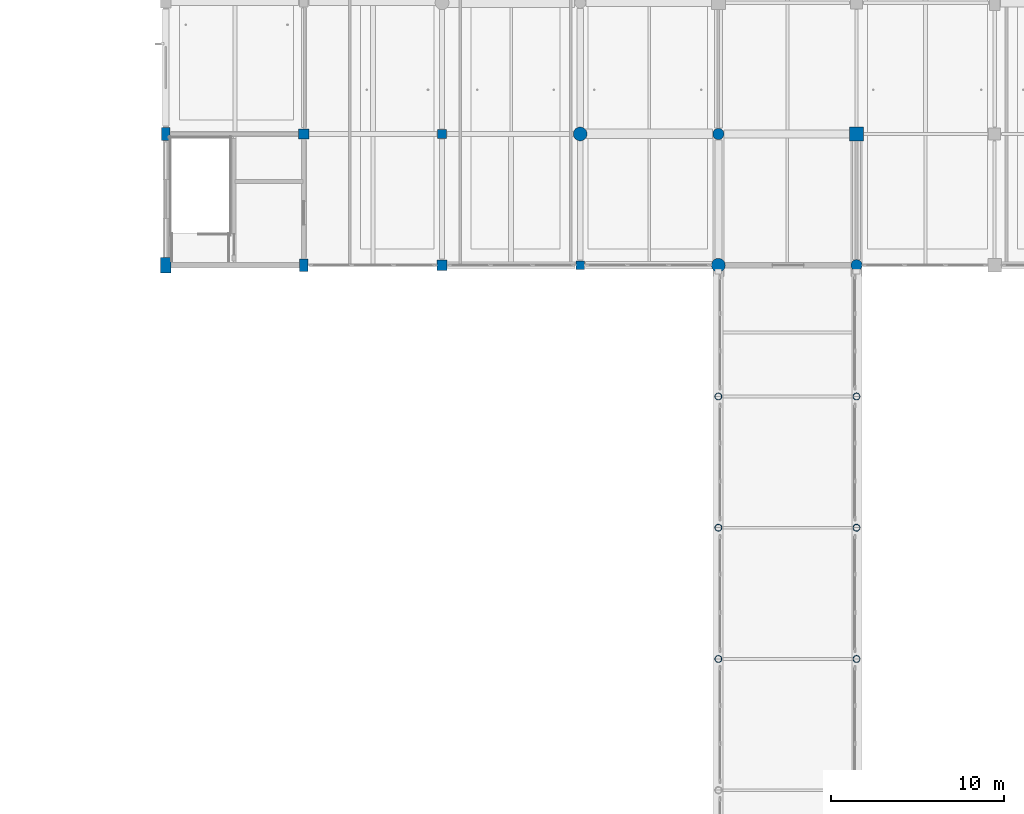
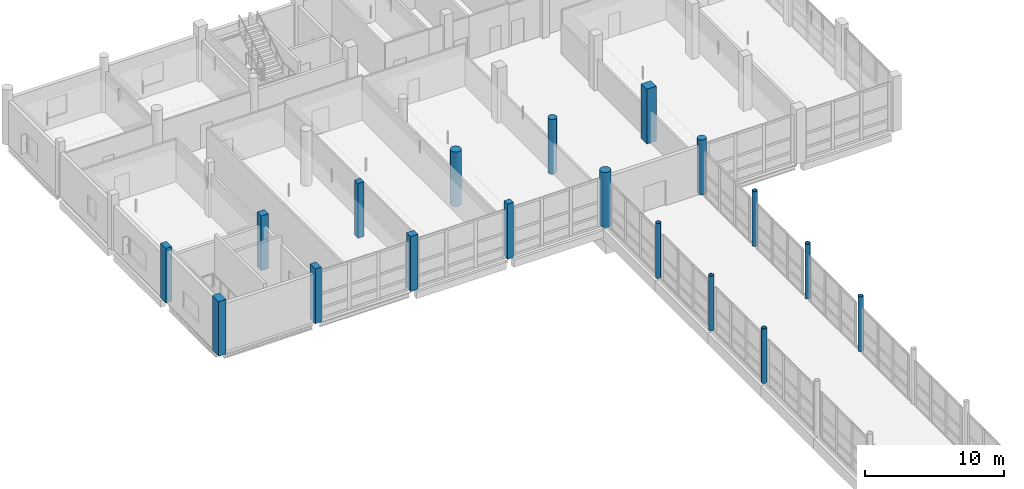
# One storey, part 9 of 147: 18 columns.
"""IFC4 building model written with IfcOpenShell, lengths in metres."""

from ifc_helpers import new_model, si_unit, direction, frame, origin, origin_2d, place, context, subcontext, project, spatial, rectangle, circle, hollow_circle, extrude, material, material_profile, profile_set, type_object, element, save


model = new_model("IFC4")

# Units and contexts
model_context = context("Model", 3, precision=1e-05, world=origin(), true_north=direction((0.0, 1.0)))
body_context = subcontext(model_context, "Body", "Model", "MODEL_VIEW")
ifc_project = project(units=[si_unit("LENGTHUNIT", "METRE"), si_unit("AREAUNIT", "SQUARE_METRE"), si_unit("VOLUMEUNIT", "CUBIC_METRE"), si_unit("PLANEANGLEUNIT", "RADIAN"), si_unit("MASSUNIT", "GRAM", prefix="KILO")], contexts=[model_context])

# Site, building, storey
site_placement = place(None, origin())
site = spatial("IfcSite", under=ifc_project, at=site_placement, CompositionType="ELEMENT")
building_placement = place(site_placement, origin())
building = spatial("IfcBuilding", under=site, at=building_placement, Name="Khelvaren Railside Concert Hall", CompositionType="ELEMENT")
storey_placement = place(building_placement, frame((0.0, 0.0, 5.39990234375)))
storey = spatial("IfcBuildingStorey", under=building, at=storey_placement, Name="L01", CompositionType="ELEMENT", Elevation=5.39990234375)

# Columns
ifc_material_1 = material(Name="Concrete C45/55", Category="concrete")
ifc_material_profile_1 = material_profile(ifc_material_1, rectangle(XDim=0.60009765625, YDim=0.60009765625, at=origin_2d()), Name="RC 600x600")
ifc_profile_set_1 = profile_set([ifc_material_profile_1], Name="Concrete C45/55")
column_type_1 = type_object("IfcColumnType", Name="COL11", PredefinedType="COLUMN", material=ifc_profile_set_1)
column_1_placement = place(storey_placement, frame((144.0, 83.60009765625, 0.0), z_axis=(0.0, 0.0, 1.0), x_axis=(1.0, 0.0, 0.0)))
element("IfcColumn", 1, at=column_1_placement, inside=storey, type_object=column_type_1, Name="V5 L01 Column (144.0,83.6)", PredefinedType="COLUMN", context=body_context, shape_type="SweptSolid", body=[
    extrude(rectangle(XDim=0.60009765625, YDim=0.60009765625, at=origin_2d()), origin(), (0.0, 0.0, 1.0), 4.800048828125),
])
ifc_material_profile_2 = material_profile(ifc_material_1, circle(Radius=0.39990234375, at=origin_2d()), Name="RC D800")
ifc_profile_set_2 = profile_set([ifc_material_profile_2], Name="Concrete C45/55")
column_type_2 = type_object("IfcColumnType", Name="COL14", PredefinedType="COLUMN", material=ifc_profile_set_2)
column_2_placement = place(storey_placement, frame((152.0, 91.199951171875, 0.0), z_axis=(0.0, 0.0, 1.0), x_axis=(1.0, 0.0, 0.0)))
element("IfcColumn", 2, at=column_2_placement, inside=storey, type_object=column_type_2, Name="V5 L01 Column (152.0,91.2)", PredefinedType="COLUMN", context=body_context, shape_type="SweptSolid", body=[
    extrude(circle(Radius=0.39990234375, at=origin_2d()), origin(), (0.0, 0.0, 1.0), 4.800048828125),
])
ifc_material_profile_3 = material_profile(ifc_material_1, rectangle(XDim=0.800048828125, YDim=0.800048828125, at=origin_2d()), Name="RC 800x800")
ifc_profile_set_3 = profile_set([ifc_material_profile_3], Name="Concrete C45/55")
column_type_3 = type_object("IfcColumnType", Name="COL20", PredefinedType="COLUMN", material=ifc_profile_set_3)
column_3_placement = place(storey_placement, frame((168.0, 91.199951171875, 0.0), z_axis=(0.0, 0.0, 1.0), x_axis=(1.0, 0.0, 0.0)))
element("IfcColumn", 3, at=column_3_placement, inside=storey, type_object=column_type_3, Name="V5 L01 Column (168.0,91.2)", PredefinedType="COLUMN", context=body_context, shape_type="SweptSolid", body=[
    extrude(rectangle(XDim=0.800048828125, YDim=0.800048828125, at=origin_2d()), origin(), (0.0, 0.0, 1.0), 4.800048828125),
])
ifc_material_profile_4 = material_profile(ifc_material_1, circle(Radius=0.39990234375, at=origin_2d()), Name="RC D800")
ifc_profile_set_4 = profile_set([ifc_material_profile_4], Name="Concrete C45/55")
column_type_4 = type_object("IfcColumnType", Name="COL22", PredefinedType="COLUMN", material=ifc_profile_set_4)
column_4_placement = place(storey_placement, frame((160.0, 83.60009765625, 0.0), z_axis=(0.0, 0.0, 1.0), x_axis=(1.0, 0.0, 0.0)))
element("IfcColumn", 4, at=column_4_placement, inside=storey, type_object=column_type_4, Name="V5 L01 Column (160.0,83.6)", PredefinedType="COLUMN", context=body_context, shape_type="SweptSolid", body=[
    extrude(circle(Radius=0.39990234375, at=origin_2d()), origin(), (0.0, 0.0, 1.0), 4.800048828125),
])
ifc_material_2 = material(Name="Steel S355", Category="steel")
ifc_material_profile_5 = material_profile(ifc_material_2, hollow_circle(Radius=0.203125, WallThickness=0.02001953125, at=origin_2d()), Name="CHS 406.4x20")
ifc_profile_set_5 = profile_set([ifc_material_profile_5], Name="Steel S355")
column_type_5 = type_object("IfcColumnType", Name="COL27", PredefinedType="COLUMN", material=ifc_profile_set_5)
for number, where, z_axis, x_axis, name in (
    (5, (160.0, 60.800048828125, 0.0), (0.0, 0.0, 1.0), (1.0, 0.0, 0.0), "LB4 L01 Bridge Pier (160,60.8)"),
    (6, (160.0, 68.39990234375, 0.0), (0.0, 0.0, 1.0), (1.0, 0.0, 0.0), "LB4 L01 Bridge Pier (160,68.4)"),
    (7, (160.0, 76.0, 0.0), (0.0, 0.0, 1.0), (1.0, 0.0, 0.0), "LB4 L01 Bridge Pier (160,76.0)"),
    (8, (168.0, 60.800048828125, 0.0), (0.0, 0.0, 1.0), (1.0, 0.0, 0.0), "LB4 L01 Bridge Pier (168,60.8)"),
    (9, (168.0, 68.39990234375, 0.0), (0.0, 0.0, 1.0), (1.0, 0.0, 0.0), "LB4 L01 Bridge Pier (168,68.4)"),
    (10, (168.0, 76.0, 0.0), (0.0, 0.0, 1.0), (1.0, 0.0, 0.0), "LB4 L01 Bridge Pier (168,76.0)"),
):
    element("IfcColumn", number, at=place(storey_placement, frame(where, z_axis=z_axis, x_axis=x_axis)), inside=storey, type_object=column_type_5, Name=name, PredefinedType="COLUMN", context=body_context, shape_type="SweptSolid", body=[
        extrude(hollow_circle(Radius=0.203125, WallThickness=0.02001953125, at=origin_2d()), origin(), (0.0, 0.0, 1.0), 4.800048828125),
    ])
ifc_material_profile_6 = material_profile(ifc_material_1, rectangle(XDim=0.60009765625, YDim=0.60009765625, at=origin_2d()), Name="RC 600x600")
ifc_profile_set_6 = profile_set([ifc_material_profile_6], Name="Concrete C45/55")
column_type_6 = type_object("IfcColumnType", Name="COL29", PredefinedType="COLUMN", material=ifc_profile_set_6)
column_5_placement = place(storey_placement, frame((136.0, 91.199951171875, 0.0), z_axis=(0.0, 0.0, 1.0), x_axis=(1.0, 0.0, 0.0)))
element("IfcColumn", 11, at=column_5_placement, inside=storey, type_object=column_type_6, Name="V5 L01 Column (136.0,91.2)", PredefinedType="COLUMN", context=body_context, shape_type="SweptSolid", body=[
    extrude(rectangle(XDim=0.60009765625, YDim=0.60009765625, at=origin_2d()), origin(), (0.0, 0.0, 1.0), 4.800048828125),
])
ifc_material_profile_7 = material_profile(ifc_material_1, rectangle(XDim=0.5, YDim=0.5, at=origin_2d()), Name="RC 500x500")
ifc_profile_set_7 = profile_set([ifc_material_profile_7], Name="Concrete C45/55")
column_type_7 = type_object("IfcColumnType", Name="COL35", PredefinedType="COLUMN", material=ifc_profile_set_7)
column_6_placement = place(storey_placement, frame((152.0, 83.60009765625, 0.0), z_axis=(0.0, 0.0, 1.0), x_axis=(1.0, 0.0, 0.0)))
element("IfcColumn", 12, at=column_6_placement, inside=storey, type_object=column_type_7, Name="V5 L01 Column (152.0,83.6)", PredefinedType="COLUMN", context=body_context, shape_type="SweptSolid", body=[
    extrude(rectangle(XDim=0.5, YDim=0.5, at=origin_2d()), origin(), (0.0, 0.0, 1.0), 4.800048828125),
])
ifc_material_profile_8 = material_profile(ifc_material_1, circle(Radius=0.324951171875, at=origin_2d()), Name="RC D650")
ifc_profile_set_8 = profile_set([ifc_material_profile_8], Name="Concrete C45/55")
column_type_8 = type_object("IfcColumnType", Name="COL53", PredefinedType="COLUMN", material=ifc_profile_set_8)
column_7_placement = place(storey_placement, frame((168.0, 83.60009765625, 0.0), z_axis=(0.0, 0.0, 1.0), x_axis=(1.0, 0.0, 0.0)))
element("IfcColumn", 13, at=column_7_placement, inside=storey, type_object=column_type_8, Name="V5 L01 Column (168.0,83.6)", PredefinedType="COLUMN", context=body_context, shape_type="SweptSolid", body=[
    extrude(circle(Radius=0.324951171875, at=origin_2d()), origin(), (0.0, 0.0, 1.0), 4.800048828125),
])
ifc_material_profile_9 = material_profile(ifc_material_1, rectangle(XDim=0.5, YDim=0.5, at=origin_2d()), Name="RC 500x500")
ifc_profile_set_9 = profile_set([ifc_material_profile_9], Name="Concrete C45/55")
column_type_9 = type_object("IfcColumnType", Name="COL84", PredefinedType="COLUMN", material=ifc_profile_set_9)
column_8_placement = place(storey_placement, frame((144.0, 91.199951171875, 0.0), z_axis=(0.0, 0.0, 1.0), x_axis=(1.0, 0.0, 0.0)))
element("IfcColumn", 14, at=column_8_placement, inside=storey, type_object=column_type_9, Name="V5 L01 Column (144.0,91.2)", PredefinedType="COLUMN", context=body_context, shape_type="SweptSolid", body=[
    extrude(rectangle(XDim=0.5, YDim=0.5, at=origin_2d()), origin(), (0.0, 0.0, 1.0), 4.800048828125),
])
ifc_material_profile_10 = material_profile(ifc_material_1, circle(Radius=0.324951171875, at=origin_2d()), Name="RC D650")
ifc_profile_set_10 = profile_set([ifc_material_profile_10], Name="Concrete C45/55")
column_type_10 = type_object("IfcColumnType", Name="COL94", PredefinedType="COLUMN", material=ifc_profile_set_10)
column_9_placement = place(storey_placement, frame((160.0, 91.199951171875, 0.0), z_axis=(0.0, 0.0, 1.0), x_axis=(1.0, 0.0, 0.0)))
element("IfcColumn", 15, at=column_9_placement, inside=storey, type_object=column_type_10, Name="V5 L01 Column (160.0,91.2)", PredefinedType="COLUMN", context=body_context, shape_type="SweptSolid", body=[
    extrude(circle(Radius=0.324951171875, at=origin_2d()), origin(), (0.0, 0.0, 1.0), 4.800048828125),
])
ifc_material_profile_11 = material_profile(ifc_material_1, rectangle(XDim=0.60009765625, YDim=0.89990234375, at=origin_2d()), Name="RC 600x900")
ifc_profile_set_11 = profile_set([ifc_material_profile_11], Name="Concrete C45/55")
column_type_11 = type_object("IfcColumnType", Name="COL95", PredefinedType="COLUMN", material=ifc_profile_set_11)
column_10_placement = place(storey_placement, frame((128.0, 83.60009765625, 0.0), z_axis=(0.0, 0.0, 1.0), x_axis=(1.0, 0.0, 0.0)))
element("IfcColumn", 16, at=column_10_placement, inside=storey, type_object=column_type_11, Name="V5 L01 Column (128.0,83.6)", PredefinedType="COLUMN", context=body_context, shape_type="SweptSolid", body=[
    extrude(rectangle(XDim=0.60009765625, YDim=0.89990234375, at=origin_2d()), origin(), (0.0, 0.0, 1.0), 4.800048828125),
])
ifc_material_profile_12 = material_profile(ifc_material_1, rectangle(XDim=0.5, YDim=0.75, at=origin_2d()), Name="RC 500x750")
ifc_profile_set_12 = profile_set([ifc_material_profile_12], Name="Concrete C45/55")
column_type_12 = type_object("IfcColumnType", Name="COL97", PredefinedType="COLUMN", material=ifc_profile_set_12)
for number, where, z_axis, x_axis, name in (
    (17, (128.0, 91.199951171875, 0.0), (0.0, 0.0, 1.0), (1.0, 0.0, 0.0), "V5 L01 Column (128.0,91.2)"),
    (18, (136.0, 83.60009765625, 0.0), (0.0, 0.0, 1.0), (1.0, 0.0, 0.0), "V5 L01 Column (136.0,83.6)"),
):
    element("IfcColumn", number, at=place(storey_placement, frame(where, z_axis=z_axis, x_axis=x_axis)), inside=storey, type_object=column_type_12, Name=name, PredefinedType="COLUMN", context=body_context, shape_type="SweptSolid", body=[
        extrude(rectangle(XDim=0.5, YDim=0.75, at=origin_2d()), origin(), (0.0, 0.0, 1.0), 4.800048828125),
    ])

save(model, "model.ifc")
